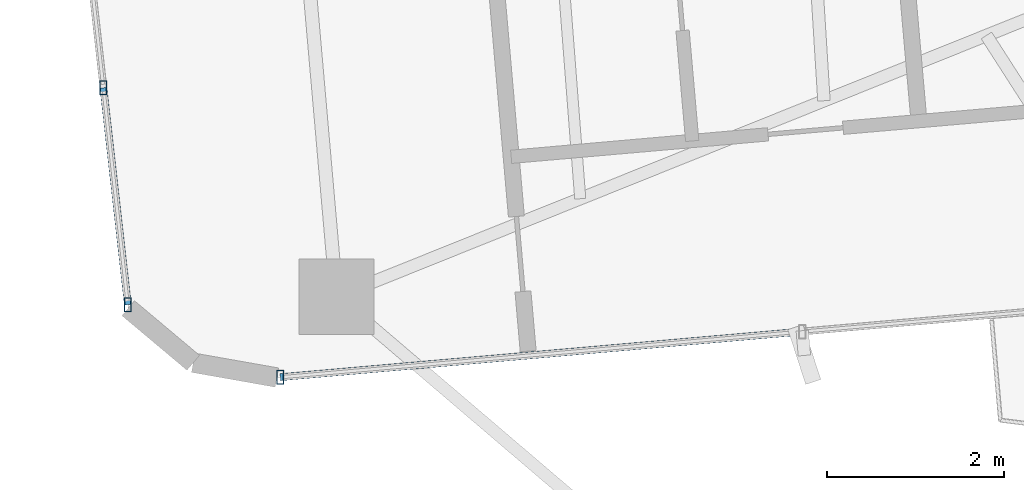
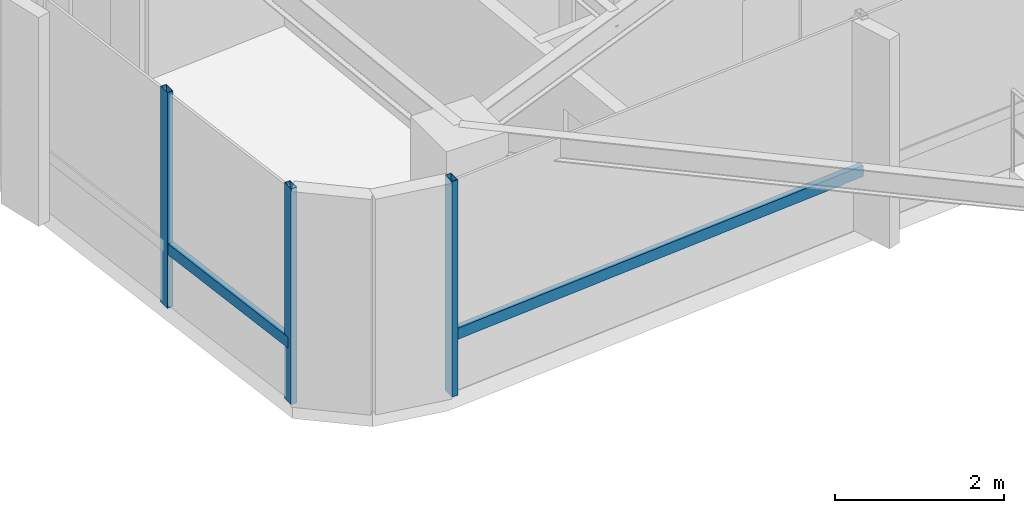
# One storey, part 3 of 24: 5 members, 2 elements without a shape of their own.
"""IFC4 building model written with IfcOpenShell, lengths in metres."""

from ifc_helpers import new_model, si_unit, direction, frame, origin, origin_2d, place, context, subcontext, project, spatial, hollow_rectangle, extrude, source, transform, mapped, material, material_profile, profile_set, type_object, element, aggregate, save


model = new_model("IFC4")

# Units and contexts
model_context = context("Model", 3, precision=1e-05, world=origin(), true_north=direction((0.0, 1.0)))
body_context = subcontext(model_context, "Body", "Model", "MODEL_VIEW")
ifc_project = project(units=[si_unit("LENGTHUNIT", "METRE"), si_unit("AREAUNIT", "SQUARE_METRE"), si_unit("VOLUMEUNIT", "CUBIC_METRE"), si_unit("PLANEANGLEUNIT", "RADIAN"), si_unit("MASSUNIT", "GRAM", prefix="KILO")], contexts=[model_context])

# Site, building, storey
site_placement = place(None, origin())
site = spatial("IfcSite", under=ifc_project, at=site_placement, CompositionType="ELEMENT")
building_placement = place(site_placement, origin())
building = spatial("IfcBuilding", under=site, at=building_placement, Name="Sahyath Konkavel Grand Hotel", CompositionType="ELEMENT")
storey_placement = place(building_placement, frame((0.0, 0.0, 195.300048828125)))
storey = spatial("IfcBuildingStorey", under=building, at=storey_placement, Name="L54", CompositionType="ELEMENT", Elevation=195.300048828125)

# Curtain wall, members
ifc_material_1 = material(Name="Anodised Bronze Aluminium & Low-E Glazing", Category="aluminium")
curtain_wall_type = type_object("IfcCurtainWallType", Name="CW-ZONE3", PredefinedType="NOTDEFINED", material=ifc_material_1)
curtain_wall_1_placement = place(storey_placement, origin())
curtain_wall_1 = element("IfcCurtainWall", 1, at=curtain_wall_1_placement, inside=storey, type_object=curtain_wall_type, Name="L54 Unitised Curtain Wall F20", PredefinedType="NOTDEFINED")
ifc_material_2 = material(Name="Anodised Bronze Aluminium", Category="aluminium")
ifc_material_profile_1 = material_profile(ifc_material_2, hollow_rectangle(XDim=0.080078125, YDim=0.159912109375, WallThickness=0.006103515625, at=origin_2d()), Name="RHS 160x80x6")
ifc_profile_set_1 = profile_set([ifc_material_profile_1], Name="Anodised Bronze Aluminium")
member_type_1 = type_object("IfcMemberType", Name="CW-MUL-160", PredefinedType="MULLION", material=ifc_profile_set_1)
shared_shape_1 = source(origin(), body_context, "Body", "SweptSolid", [
    extrude(hollow_rectangle(XDim=0.080078125, YDim=0.159912109375, WallThickness=0.006103515625, at=origin_2d()), origin(), (0.0, 0.0, 1.0), 3.10986328125),
])
member_1_placement = place(storey_placement, frame((-19.583984375, -4.648193359375, 0.0), z_axis=(0.0, 0.0, 1.0), x_axis=(1.0, 0.0, 0.0)))
member_1 = element("IfcMember", 2, at=member_1_placement, type_object=member_type_1, Name="L54 Curtain Wall Mullion F20-3", PredefinedType="MULLION", context=body_context, shape_type="MappedRepresentation", body=[
    mapped(shared_shape_1, transform((0.0, 0.0, 0.0), scale=1.0)),
])
member_2_placement = place(storey_placement, frame((-19.308349609375, -7.094970703125, 0.0), z_axis=(0.0, 0.0, 1.0), x_axis=(1.0, 0.0, 0.0)))
member_2 = element("IfcMember", 3, at=member_2_placement, type_object=member_type_1, Name="L54 Curtain Wall Mullion F20-4", PredefinedType="MULLION", context=body_context, shape_type="MappedRepresentation", body=[
    mapped(shared_shape_1, transform((0.0, 0.0, 0.0), scale=1.0)),
])

# Curtain wall, member
curtain_wall_2_placement = place(storey_placement, origin())
curtain_wall_2 = element("IfcCurtainWall", 4, at=curtain_wall_2_placement, inside=storey, type_object=curtain_wall_type, Name="L54 Unitised Curtain Wall F23", PredefinedType="NOTDEFINED")
member_3_placement = place(storey_placement, frame((-17.58740234375, -7.912841796875, 0.0), z_axis=(0.0, 0.0, 1.0), x_axis=(1.0, 0.0, 0.0)))
member_3 = element("IfcMember", 5, at=member_3_placement, type_object=member_type_1, Name="L54 Curtain Wall Mullion F23-0", PredefinedType="MULLION", context=body_context, shape_type="MappedRepresentation", body=[
    mapped(shared_shape_1, transform((0.0, 0.0, 0.0), scale=1.0)),
])

# Member
ifc_material_profile_2 = material_profile(ifc_material_2, hollow_rectangle(XDim=0.080078125, YDim=0.159912109375, WallThickness=0.006103515625, at=origin_2d()), Name="RHS 160x80x6")
ifc_profile_set_2 = profile_set([ifc_material_profile_2], Name="Anodised Bronze Aluminium")
member_type_2 = type_object("IfcMemberType", Name="CW-TRN-160", PredefinedType="USERDEFINED", material=ifc_profile_set_2)
shared_shape_2 = source(origin(), body_context, "Body", "SweptSolid", [
    extrude(hollow_rectangle(XDim=0.080078125, YDim=0.159912109375, WallThickness=0.006103515625, at=origin_2d()), origin(), (0.0, 0.0, 1.0), 2.462158203125),
])
member_4_placement = place(storey_placement, frame((-19.583984375, -4.648193359375, 0.849853515625), z_axis=(0.11194409079, -0.993714506555, 0.0), x_axis=(0.993714506555, 0.11194409079, 0.0)))
member_4 = element("IfcMember", 6, at=member_4_placement, type_object=member_type_2, Name="L54 Curtain Wall Transom F20-3-spandrel", ObjectType="TRANSOM", PredefinedType="USERDEFINED", context=body_context, shape_type="MappedRepresentation", body=[
    mapped(shared_shape_2, transform((0.0, 0.0, 0.0), scale=1.0)),
])

aggregate(curtain_wall_1, [member_1, member_2, member_4])

shared_shape_3 = source(origin(), body_context, "Body", "SweptSolid", [
    extrude(hollow_rectangle(XDim=0.080078125, YDim=0.159912109375, WallThickness=0.006103515625, at=origin_2d()), origin(), (0.0, 0.0, 1.0), 5.91015625),
])
member_5_placement = place(storey_placement, frame((-17.58740234375, -7.912841796875, 0.849853515625), z_axis=(0.996197841474, 0.087119806256, 0.0), x_axis=(-0.087119806256, 0.996197841474, 0.0)))
member_5 = element("IfcMember", 7, at=member_5_placement, type_object=member_type_2, Name="L54 Curtain Wall Transom F23-0-spandrel", ObjectType="TRANSOM", PredefinedType="USERDEFINED", context=body_context, shape_type="MappedRepresentation", body=[
    mapped(shared_shape_3, transform((0.0, 0.0, 0.0), scale=1.0)),
])

aggregate(curtain_wall_2, [member_3, member_5])

save(model, "model.ifc")
